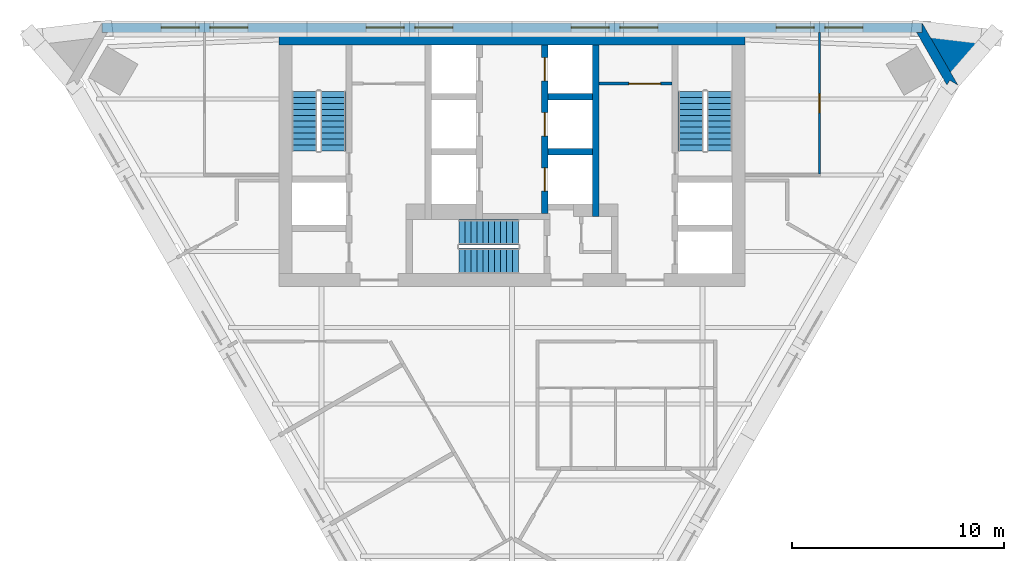
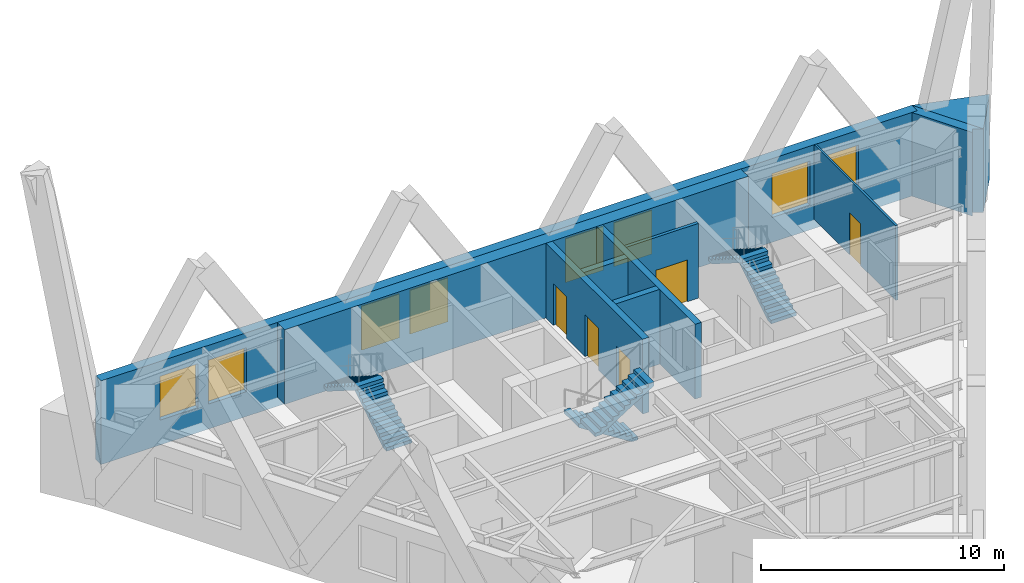
# One storey, part 5 of 6: 10 walls, 8 windows, 6 stair flights, 5 doors, 13 openings, 3 elements without a shape of their own.
"""IFC4 building model written with IfcOpenShell, lengths in metres."""

from ifc_helpers import new_model, si_unit, direction, frame, frame_2d, origin, place, context, subcontext, project, spatial, polyline, rectangle, outline, extrude, material, layer, layer_set, type_object, element, fill, aggregate, save


model = new_model("IFC4")

# Units and contexts
model_context = context("Model", 3, precision=1e-05, world=origin(), true_north=direction((0.0, 1.0)))
body_context = subcontext(model_context, "Body", "Model", "MODEL_VIEW")
ifc_project = project(units=[si_unit("LENGTHUNIT", "METRE"), si_unit("AREAUNIT", "SQUARE_METRE"), si_unit("VOLUMEUNIT", "CUBIC_METRE"), si_unit("PLANEANGLEUNIT", "RADIAN"), si_unit("MASSUNIT", "GRAM", prefix="KILO")], contexts=[model_context])

# Site, building, storey
site_placement = place(None, origin())
site = spatial("IfcSite", under=ifc_project, at=site_placement, CompositionType="ELEMENT")
building_placement = place(site_placement, origin())
building = spatial("IfcBuilding", under=site, at=building_placement, Name="Aloe Facet Convention Tower", CompositionType="ELEMENT")
storey_placement = place(building_placement, frame((0.0, 0.0, 180.199951171875)))
storey = spatial("IfcBuildingStorey", under=building, at=storey_placement, Name="L45", CompositionType="ELEMENT", Elevation=180.199951171875)

# Wall, opening, door
ifc_material_1 = material(Name="Concrete blockwork partition", Category="masonry")
ifc_layer_1 = layer(ifc_material_1, 0.14990234375)
ifc_layer_set_1 = layer_set([ifc_layer_1], Name="CR-W-PART150")
wall_type_1 = type_object("IfcWallType", Name="CR-W-PART150", PredefinedType="PARTITIONING", material=ifc_layer_set_1)
wall_1_placement = place(storey_placement, frame((84.10009765625, 132.125, 0.0), z_axis=(0.0, 0.0, 1.0), x_axis=(1.0, 0.0, 0.0)))
wall_1 = element("IfcWall", 1, at=wall_1_placement, inside=storey, type_object=wall_type_1, Name="Core partition L45-025", PredefinedType="PARTITIONING", context=body_context, shape_type="SweptSolid", body=[
    extrude(rectangle(XDim=3.449951171875, YDim=0.14990234375, at=frame_2d((1.72509765625, 0.0))), origin(), (0.0, 0.0, 1.0), 3.75),
])
opening_1_placement = place(wall_1_placement, frame((1.425048828125, 0.0, 0.0)))
opening_1 = element("IfcOpeningElement", 2, at=opening_1_placement, cuts=wall_1, Name="Opening L45-CD13", PredefinedType="OPENING", context=body_context, shape_type="SweptSolid", body=[
    extrude(rectangle(XDim=1.5, YDim=2.10009765625, at=frame_2d((0.75, 1.050048828125))), frame((0.0, 0.0849609375, 0.0), z_axis=(0.0, -1.0, 0.0), x_axis=(1.0, 0.0, 0.0)), (0.0, 0.0, 1.0), 0.169921875),
])
ifc_material_2 = material(Name="Steel fire-resisting door set FD60", Category="steel")
door_type_1 = type_object("IfcDoorType", Name="CR-D-REFUGE-1500-FD60-DD", OperationType="DOUBLE_DOOR_DOUBLE_SWING", PredefinedType="DOOR", material=ifc_material_2)
door_1_placement = place(opening_1_placement, origin())
door_1 = element("IfcDoor", 3, at=door_1_placement, inside=storey, type_object=door_type_1, Name="Core door L45-CD13", OperationType="DOUBLE_DOOR_DOUBLE_SWING", OverallHeight=2.10009765625, OverallWidth=1.5, PredefinedType="DOOR", context=body_context, shape_type="SweptSolid", body=[
    extrude(rectangle(XDim=1.5, YDim=2.10009765625, at=frame_2d((0.75, 1.050048828125))), frame((0.0, 0.02490234375, 0.0), z_axis=(0.0, -1.0, 0.0), x_axis=(1.0, 0.0, 0.0)), (0.0, 0.0, 1.0), 0.050048828125),
])
fill(opening_1, door_1)

# Wall, openings, doors
ifc_material_3 = material(Name="Concrete C50/60", Category="concrete")
ifc_layer_2 = layer(ifc_material_3, 0.300048828125)
ifc_layer_set_2 = layer_set([ifc_layer_2], Name="CR-W-RC300-C5060")
wall_type_2 = type_object("IfcWallType", Name="CR-W-RC300-C5060", PredefinedType="SOLIDWALL", material=ifc_layer_set_2)
wall_2_placement = place(storey_placement, frame((81.550048828125, 133.949951171875, 0.0), z_axis=(0.0, 0.0, 1.0), x_axis=(0.0, -1.0, 0.0)))
wall_2 = element("IfcWall", 4, at=wall_2_placement, inside=storey, type_object=wall_type_2, Name="Core wall L45-016", PredefinedType="SOLIDWALL", context=body_context, shape_type="SweptSolid", body=[
    extrude(rectangle(XDim=7.949951171875, YDim=0.300048828125, at=frame_2d((3.97509765625, 0.0))), origin(), (0.0, 0.0, 1.0), 3.75),
])
opening_2_placement = place(wall_2_placement, frame((0.60009765625, 0.0, 0.0)))
opening_2 = element("IfcOpeningElement", 5, at=opening_2_placement, cuts=wall_2, Name="Opening LD-B4-L45", PredefinedType="OPENING", context=body_context, shape_type="SweptSolid", body=[
    extrude(rectangle(XDim=1.10009765625, YDim=2.10009765625, at=frame_2d((0.550048828125, 1.050048828125))), frame((0.0, 0.16015625, 0.0), z_axis=(0.0, -1.0, 0.0), x_axis=(1.0, 0.0, 0.0)), (0.0, 0.0, 1.0), 0.320068359375),
])
opening_3_placement = place(wall_2_placement, frame((3.199951171875, 0.0, 0.0)))
opening_3 = element("IfcOpeningElement", 6, at=opening_3_placement, cuts=wall_2, Name="Opening LD-B5-L45", PredefinedType="OPENING", context=body_context, shape_type="SweptSolid", body=[
    extrude(rectangle(XDim=1.10009765625, YDim=2.10009765625, at=frame_2d((0.550048828125, 1.050048828125))), frame((0.0, 0.16015625, 0.0), z_axis=(0.0, -1.0, 0.0), x_axis=(1.0, 0.0, 0.0)), (0.0, 0.0, 1.0), 0.320068359375),
])
opening_4_placement = place(wall_2_placement, frame((5.800048828125, 0.0, 0.0)))
opening_4 = element("IfcOpeningElement", 7, at=opening_4_placement, cuts=wall_2, Name="Opening LD-B6-L45", PredefinedType="OPENING", context=body_context, shape_type="SweptSolid", body=[
    extrude(rectangle(XDim=1.10009765625, YDim=2.10009765625, at=frame_2d((0.550048828125, 1.050048828125))), frame((0.0, 0.16015625, 0.0), z_axis=(0.0, -1.0, 0.0), x_axis=(1.0, 0.0, 0.0)), (0.0, 0.0, 1.0), 0.320068359375),
])
ifc_material_4 = material(Name="Stainless steel sliding landing door", Category="steel")
door_type_2 = type_object("IfcDoorType", Name="CR-LD-1100-FD60-_LEFT", OperationType="SLIDING_TO_LEFT", PredefinedType="DOOR", material=ifc_material_4)
door_2_placement = place(opening_2_placement, origin())
door_2 = element("IfcDoor", 8, at=door_2_placement, inside=storey, type_object=door_type_2, Name="Landing door B4 L45", OperationType="SLIDING_TO_LEFT", OverallHeight=2.10009765625, OverallWidth=1.10009765625, PredefinedType="DOOR", context=body_context, shape_type="SweptSolid", body=[
    extrude(rectangle(XDim=1.10009765625, YDim=2.10009765625, at=frame_2d((0.550048828125, 1.050048828125))), frame((0.0, 0.02490234375, 0.0), z_axis=(0.0, -1.0, 0.0), x_axis=(1.0, 0.0, 0.0)), (0.0, 0.0, 1.0), 0.050048828125),
])
fill(opening_2, door_2)
door_3_placement = place(opening_3_placement, origin())
door_3 = element("IfcDoor", 9, at=door_3_placement, inside=storey, type_object=door_type_2, Name="Landing door B5 L45", OperationType="SLIDING_TO_LEFT", OverallHeight=2.10009765625, OverallWidth=1.10009765625, PredefinedType="DOOR", context=body_context, shape_type="SweptSolid", body=[
    extrude(rectangle(XDim=1.10009765625, YDim=2.10009765625, at=frame_2d((0.550048828125, 1.050048828125))), frame((0.0, 0.02490234375, 0.0), z_axis=(0.0, -1.0, 0.0), x_axis=(1.0, 0.0, 0.0)), (0.0, 0.0, 1.0), 0.050048828125),
])
fill(opening_3, door_3)
door_4_placement = place(opening_4_placement, origin())
door_4 = element("IfcDoor", 10, at=door_4_placement, inside=storey, type_object=door_type_2, Name="Landing door B6 L45", OperationType="SLIDING_TO_LEFT", OverallHeight=2.10009765625, OverallWidth=1.10009765625, PredefinedType="DOOR", context=body_context, shape_type="SweptSolid", body=[
    extrude(rectangle(XDim=1.10009765625, YDim=2.10009765625, at=frame_2d((0.550048828125, 1.050048828125))), frame((0.0, 0.02490234375, 0.0), z_axis=(0.0, -1.0, 0.0), x_axis=(1.0, 0.0, 0.0)), (0.0, 0.0, 1.0), 0.050048828125),
])
fill(opening_4, door_4)

# Walls
for number, where, z_axis, x_axis, name in (
    (11, (81.699951171875, 131.5, 0.0), (0.0, 0.0, 1.0), (1.0, 0.0, 0.0), "Core wall L45-018"),
    (12, (81.699951171875, 128.89990234375, 0.0), (0.0, 0.0, 1.0), (1.0, 0.0, 0.0), "Core wall L45-019"),
):
    element("IfcWall", number, at=place(storey_placement, frame(where, z_axis=z_axis, x_axis=x_axis)), inside=storey, type_object=wall_type_2, Name=name, PredefinedType="SOLIDWALL", context=body_context, shape_type="SweptSolid", body=[
        extrude(rectangle(XDim=2.10009765625, YDim=0.300048828125, at=frame_2d((1.050048828125, 0.0))), origin(), (0.0, 0.0, 1.0), 3.75),
    ])
wall_3_placement = place(storey_placement, frame((83.949951171875, 133.949951171875, 0.0), z_axis=(0.0, 0.0, 1.0), x_axis=(0.0, -1.0, 0.0)))
element("IfcWall", 13, at=wall_3_placement, inside=storey, type_object=wall_type_2, Name="Core wall L45-024", PredefinedType="SOLIDWALL", context=body_context, shape_type="SweptSolid", body=[
    extrude(rectangle(XDim=8.099853515625, YDim=0.300048828125, at=frame_2d((4.0498046875, 0.0))), origin(), (0.0, 0.0, 1.0), 3.75),
])
ifc_material_5 = material(Name="Concrete C50/60", Category="concrete")
ifc_layer_3 = layer(ifc_material_5, 0.60009765625)
ifc_layer_set_3 = layer_set([ifc_layer_3], Name="CR-W-RC600-C5060")
wall_type_3 = type_object("IfcWallType", Name="CR-W-RC600-C5060", PredefinedType="SOLIDWALL", material=ifc_layer_set_3)
wall_4_placement = place(storey_placement, frame((69.0, 134.25, 0.0), z_axis=(0.0, 0.0, 1.0), x_axis=(1.0, 0.0, 0.0)))
element("IfcWall", 14, at=wall_4_placement, inside=storey, type_object=wall_type_3, Name="Core wall L45-001", PredefinedType="SOLIDWALL", context=body_context, shape_type="SweptSolid", body=[
    extrude(rectangle(XDim=22.0, YDim=0.60009765625, at=frame_2d((11.0, 0.0))), origin(), (0.0, 0.0, 1.0), 3.75),
])
ifc_material_6 = material(Name="Precast concrete C40/50", Category="concrete")
ifc_layer_4 = layer(ifc_material_6, 0.449951171875)
ifc_layer_set_4 = layer_set([ifc_layer_4], Name="EV-WALL-PIER")
wall_type_4 = type_object("IfcWallType", Name="EV-WALL-PIER", PredefinedType="SOLIDWALL", material=ifc_layer_set_4)
wall_5_placement = place(storey_placement, frame((0.0, 0.0, -0.449951171875)))
element("IfcWall", 15, at=wall_5_placement, inside=storey, type_object=wall_type_4, Name="EP-L45-C", PredefinedType="SOLIDWALL", context=body_context, shape_type="SweptSolid", body=[
    extrude(outline(polyline([(101.064697265625, 132.055419921875), (100.6748046875, 132.280517578125), (100.544921875, 132.055419921875), (99.104736328125, 134.550048828125), (99.364501953125, 134.550048828125), (99.364501953125, 135.0), (101.064697265625, 132.055419921875)])), origin(), (0.0, 0.0, 1.0), 4.199951171875),
])
ifc_material_7 = material(Name="Precast concrete C40/50", Category="concrete")
ifc_layer_5 = layer(ifc_material_7, 3.947998046875)
ifc_layer_set_5 = layer_set([ifc_layer_5], Name="EV-WALL-SPINE")
wall_type_5 = type_object("IfcWallType", Name="EV-WALL-SPINE", PredefinedType="SOLIDWALL", material=ifc_layer_set_5)
wall_6_placement = place(storey_placement, frame((0.0, 0.0, -0.449951171875)))
element("IfcWall", 16, at=wall_6_placement, inside=storey, type_object=wall_type_5, Name="SP-NE-L45", PredefinedType="SOLIDWALL", context=body_context, shape_type="SweptSolid", body=[
    extrude(outline(polyline([(101.064697265625, 132.055419921875), (102.533935546875, 134.08642578125), (99.364501953125, 135.0), (101.064697265625, 132.055419921875)])), origin(), (0.0, 0.0, 1.0), 4.199951171875),
])

# Wall, openings, windows
ifc_material_8 = material(Name="Precast concrete C40/50", Category="concrete")
ifc_layer_6 = layer(ifc_material_8, 0.449951171875)
ifc_layer_set_6 = layer_set([ifc_layer_6], Name="EV-WALL-STONE")
wall_type_6 = type_object("IfcWallType", Name="EV-WALL-STONE", PredefinedType="SOLIDWALL", material=ifc_layer_set_6)
wall_7_placement = place(storey_placement, frame((99.364501953125, 134.77490234375, -0.449951171875), z_axis=(0.0, 0.0, 1.0), x_axis=(-1.0, 0.0, 0.0)))
wall_7 = element("IfcWall", 17, at=wall_7_placement, inside=storey, type_object=wall_type_6, Name="EW-L45-N01", PredefinedType="SOLIDWALL", context=body_context, shape_type="SweptSolid", body=[
    extrude(outline(polyline([(38.729248046875, 0.0), (38.729248046875, 4.199951171875), (0.0, 4.199951171875), (0.0, 0.0), (38.729248046875, 0.0)])), frame((0.0, 0.22509765625, 0.0), z_axis=(0.0, -1.0, 0.0), x_axis=(1.0, 0.0, 0.0)), (0.0, 0.0, 1.0), 0.449951171875),
])
opening_5_placement = place(wall_7_placement, frame((2.791259765625, 0.0, 1.25)))
opening_5 = element("IfcOpeningElement", 18, at=opening_5_placement, cuts=wall_7, Name="Opening W-L45-N01", PredefinedType="OPENING", context=body_context, shape_type="SweptSolid", body=[
    extrude(rectangle(XDim=1.800048828125, YDim=2.199951171875, at=frame_2d((0.89990234375, 1.10009765625))), frame((0.0, 0.23486328125, 0.0), z_axis=(0.0, -1.0, 0.0), x_axis=(1.0, 0.0, 0.0)), (0.0, 0.0, 1.0), 0.469970703125),
])
opening_6_placement = place(wall_7_placement, frame((5.091064453125, 0.0, 1.25)))
opening_6 = element("IfcOpeningElement", 19, at=opening_6_placement, cuts=wall_7, Name="Opening W-L45-N02", PredefinedType="OPENING", context=body_context, shape_type="SweptSolid", body=[
    extrude(rectangle(XDim=1.800048828125, YDim=2.199951171875, at=frame_2d((0.89990234375, 1.10009765625))), frame((0.0, 0.23486328125, 0.0), z_axis=(0.0, -1.0, 0.0), x_axis=(1.0, 0.0, 0.0)), (0.0, 0.0, 1.0), 0.469970703125),
])
opening_7_placement = place(wall_7_placement, frame((12.473388671875, 0.0, 1.25)))
opening_7 = element("IfcOpeningElement", 20, at=opening_7_placement, cuts=wall_7, Name="Opening W-L45-N03", PredefinedType="OPENING", context=body_context, shape_type="SweptSolid", body=[
    extrude(rectangle(XDim=1.800048828125, YDim=2.199951171875, at=frame_2d((0.89990234375, 1.10009765625))), frame((0.0, 0.23486328125, 0.0), z_axis=(0.0, -1.0, 0.0), x_axis=(1.0, 0.0, 0.0)), (0.0, 0.0, 1.0), 0.469970703125),
])
opening_8_placement = place(wall_7_placement, frame((14.7734375, 0.0, 1.25)))
opening_8 = element("IfcOpeningElement", 21, at=opening_8_placement, cuts=wall_7, Name="Opening W-L45-N04", PredefinedType="OPENING", context=body_context, shape_type="SweptSolid", body=[
    extrude(rectangle(XDim=1.800048828125, YDim=2.199951171875, at=frame_2d((0.89990234375, 1.10009765625))), frame((0.0, 0.23486328125, 0.0), z_axis=(0.0, -1.0, 0.0), x_axis=(1.0, 0.0, 0.0)), (0.0, 0.0, 1.0), 0.469970703125),
])
opening_9_placement = place(wall_7_placement, frame((22.15576171875, 0.0, 1.25)))
opening_9 = element("IfcOpeningElement", 22, at=opening_9_placement, cuts=wall_7, Name="Opening W-L45-N05", PredefinedType="OPENING", context=body_context, shape_type="SweptSolid", body=[
    extrude(rectangle(XDim=1.800048828125, YDim=2.199951171875, at=frame_2d((0.89990234375, 1.10009765625))), frame((0.0, 0.23486328125, 0.0), z_axis=(0.0, -1.0, 0.0), x_axis=(1.0, 0.0, 0.0)), (0.0, 0.0, 1.0), 0.469970703125),
])
opening_10_placement = place(wall_7_placement, frame((24.455810546875, 0.0, 1.25)))
opening_10 = element("IfcOpeningElement", 23, at=opening_10_placement, cuts=wall_7, Name="Opening W-L45-N06", PredefinedType="OPENING", context=body_context, shape_type="SweptSolid", body=[
    extrude(rectangle(XDim=1.800048828125, YDim=2.199951171875, at=frame_2d((0.89990234375, 1.10009765625))), frame((0.0, 0.23486328125, 0.0), z_axis=(0.0, -1.0, 0.0), x_axis=(1.0, 0.0, 0.0)), (0.0, 0.0, 1.0), 0.469970703125),
])
opening_11_placement = place(wall_7_placement, frame((31.838134765625, 0.0, 1.25)))
opening_11 = element("IfcOpeningElement", 24, at=opening_11_placement, cuts=wall_7, Name="Opening W-L45-N07", PredefinedType="OPENING", context=body_context, shape_type="SweptSolid", body=[
    extrude(rectangle(XDim=1.800048828125, YDim=2.199951171875, at=frame_2d((0.89990234375, 1.10009765625))), frame((0.0, 0.23486328125, 0.0), z_axis=(0.0, -1.0, 0.0), x_axis=(1.0, 0.0, 0.0)), (0.0, 0.0, 1.0), 0.469970703125),
])
opening_12_placement = place(wall_7_placement, frame((34.13818359375, 0.0, 1.25)))
opening_12 = element("IfcOpeningElement", 25, at=opening_12_placement, cuts=wall_7, Name="Opening W-L45-N08", PredefinedType="OPENING", context=body_context, shape_type="SweptSolid", body=[
    extrude(rectangle(XDim=1.800048828125, YDim=2.199951171875, at=frame_2d((0.89990234375, 1.10009765625))), frame((0.0, 0.23486328125, 0.0), z_axis=(0.0, -1.0, 0.0), x_axis=(1.0, 0.0, 0.0)), (0.0, 0.0, 1.0), 0.469970703125),
])
ifc_material_9 = material(Name="Aluminium frame, clear double glazing", Category="aluminium")
window_type = type_object("IfcWindowType", Name="EV-WIN-O18", PartitioningType="SINGLE_PANEL", PredefinedType="WINDOW", material=ifc_material_9)
window_1_placement = place(opening_5_placement, origin())
window_1 = element("IfcWindow", 26, at=window_1_placement, inside=storey, type_object=window_type, Name="W-L45-N01", OverallHeight=2.199951171875, OverallWidth=1.800048828125, PartitioningType="SINGLE_PANEL", PredefinedType="WINDOW", context=body_context, shape_type="SweptSolid", body=[
    extrude(rectangle(XDim=1.800048828125, YDim=2.199951171875, at=frame_2d((0.89990234375, 1.10009765625))), frame((0.0, 0.030029296875, 0.0), z_axis=(0.0, -1.0, 0.0), x_axis=(1.0, 0.0, 0.0)), (0.0, 0.0, 1.0), 0.06005859375),
])
fill(opening_5, window_1)
window_2_placement = place(opening_6_placement, origin())
window_2 = element("IfcWindow", 27, at=window_2_placement, inside=storey, type_object=window_type, Name="W-L45-N02", OverallHeight=2.199951171875, OverallWidth=1.800048828125, PartitioningType="SINGLE_PANEL", PredefinedType="WINDOW", context=body_context, shape_type="SweptSolid", body=[
    extrude(rectangle(XDim=1.800048828125, YDim=2.199951171875, at=frame_2d((0.89990234375, 1.10009765625))), frame((0.0, 0.030029296875, 0.0), z_axis=(0.0, -1.0, 0.0), x_axis=(1.0, 0.0, 0.0)), (0.0, 0.0, 1.0), 0.06005859375),
])
fill(opening_6, window_2)
window_3_placement = place(opening_7_placement, origin())
window_3 = element("IfcWindow", 28, at=window_3_placement, inside=storey, type_object=window_type, Name="W-L45-N03", OverallHeight=2.199951171875, OverallWidth=1.800048828125, PartitioningType="SINGLE_PANEL", PredefinedType="WINDOW", context=body_context, shape_type="SweptSolid", body=[
    extrude(rectangle(XDim=1.800048828125, YDim=2.199951171875, at=frame_2d((0.89990234375, 1.10009765625))), frame((0.0, 0.030029296875, 0.0), z_axis=(0.0, -1.0, 0.0), x_axis=(1.0, 0.0, 0.0)), (0.0, 0.0, 1.0), 0.06005859375),
])
fill(opening_7, window_3)
window_4_placement = place(opening_8_placement, origin())
window_4 = element("IfcWindow", 29, at=window_4_placement, inside=storey, type_object=window_type, Name="W-L45-N04", OverallHeight=2.199951171875, OverallWidth=1.800048828125, PartitioningType="SINGLE_PANEL", PredefinedType="WINDOW", context=body_context, shape_type="SweptSolid", body=[
    extrude(rectangle(XDim=1.800048828125, YDim=2.199951171875, at=frame_2d((0.89990234375, 1.10009765625))), frame((0.0, 0.030029296875, 0.0), z_axis=(0.0, -1.0, 0.0), x_axis=(1.0, 0.0, 0.0)), (0.0, 0.0, 1.0), 0.06005859375),
])
fill(opening_8, window_4)
window_5_placement = place(opening_9_placement, origin())
window_5 = element("IfcWindow", 30, at=window_5_placement, inside=storey, type_object=window_type, Name="W-L45-N05", OverallHeight=2.199951171875, OverallWidth=1.800048828125, PartitioningType="SINGLE_PANEL", PredefinedType="WINDOW", context=body_context, shape_type="SweptSolid", body=[
    extrude(rectangle(XDim=1.800048828125, YDim=2.199951171875, at=frame_2d((0.89990234375, 1.10009765625))), frame((0.0, 0.030029296875, 0.0), z_axis=(0.0, -1.0, 0.0), x_axis=(1.0, 0.0, 0.0)), (0.0, 0.0, 1.0), 0.06005859375),
])
fill(opening_9, window_5)
window_6_placement = place(opening_10_placement, origin())
window_6 = element("IfcWindow", 31, at=window_6_placement, inside=storey, type_object=window_type, Name="W-L45-N06", OverallHeight=2.199951171875, OverallWidth=1.800048828125, PartitioningType="SINGLE_PANEL", PredefinedType="WINDOW", context=body_context, shape_type="SweptSolid", body=[
    extrude(rectangle(XDim=1.800048828125, YDim=2.199951171875, at=frame_2d((0.89990234375, 1.10009765625))), frame((0.0, 0.030029296875, 0.0), z_axis=(0.0, -1.0, 0.0), x_axis=(1.0, 0.0, 0.0)), (0.0, 0.0, 1.0), 0.06005859375),
])
fill(opening_10, window_6)
window_7_placement = place(opening_11_placement, origin())
window_7 = element("IfcWindow", 32, at=window_7_placement, inside=storey, type_object=window_type, Name="W-L45-N07", OverallHeight=2.199951171875, OverallWidth=1.800048828125, PartitioningType="SINGLE_PANEL", PredefinedType="WINDOW", context=body_context, shape_type="SweptSolid", body=[
    extrude(rectangle(XDim=1.800048828125, YDim=2.199951171875, at=frame_2d((0.89990234375, 1.10009765625))), frame((0.0, 0.030029296875, 0.0), z_axis=(0.0, -1.0, 0.0), x_axis=(1.0, 0.0, 0.0)), (0.0, 0.0, 1.0), 0.06005859375),
])
fill(opening_11, window_7)
window_8_placement = place(opening_12_placement, origin())
window_8 = element("IfcWindow", 33, at=window_8_placement, inside=storey, type_object=window_type, Name="W-L45-N08", OverallHeight=2.199951171875, OverallWidth=1.800048828125, PartitioningType="SINGLE_PANEL", PredefinedType="WINDOW", context=body_context, shape_type="SweptSolid", body=[
    extrude(rectangle(XDim=1.800048828125, YDim=2.199951171875, at=frame_2d((0.89990234375, 1.10009765625))), frame((0.0, 0.030029296875, 0.0), z_axis=(0.0, -1.0, 0.0), x_axis=(1.0, 0.0, 0.0)), (0.0, 0.0, 1.0), 0.06005859375),
])
fill(opening_12, window_8)

# Wall, opening, door
ifc_material_10 = material(Name="Gypsum board partition on steel studs", Category="steel")
ifc_layer_7 = layer(ifc_material_10, 0.10009765625)
ifc_layer_set_7 = layer_set([ifc_layer_7], Name="IN-W-PART")
wall_type_7 = type_object("IfcWallType", Name="IN-W-PART", PredefinedType="PARTITIONING", material=ifc_layer_set_7)
wall_8_placement = place(storey_placement, frame((94.521484375, 127.85009765625, 0.0), z_axis=(0.0, 0.0, 1.0), x_axis=(0.000728783103, 0.999999734438, 0.0)))
wall_8 = element("IfcWall", 34, at=wall_8_placement, inside=storey, type_object=wall_type_7, Name="Partition L45-W043", PredefinedType="PARTITIONING", context=body_context, shape_type="SweptSolid", body=[
    extrude(rectangle(XDim=6.699951171875, YDim=0.10009765625, at=frame_2d((3.35009765625, 0.0))), origin(), (0.0, 0.0, 1.0), 3.75),
])
opening_13_placement = place(wall_8_placement, frame((2.89990234375, 0.0, 0.0)))
opening_13 = element("IfcOpeningElement", 35, at=opening_13_placement, cuts=wall_8, Name="Opening L45-006", PredefinedType="OPENING", context=body_context, shape_type="SweptSolid", body=[
    extrude(rectangle(XDim=0.89990234375, YDim=2.10009765625, at=frame_2d((0.449951171875, 1.050048828125))), frame((0.0, 0.06005859375, 0.0), z_axis=(0.0, -1.0, 0.0), x_axis=(1.0, 0.0, 0.0)), (0.0, 0.0, 1.0), 0.1201171875),
])
ifc_material_11 = material(Name="Timber door", Category="wood")
door_type_3 = type_object("IfcDoorType", Name="IN-OFF-D-ROOM", OperationType="SINGLE_SWING_LEFT", PredefinedType="DOOR", material=ifc_material_11)
door_5_placement = place(opening_13_placement, origin())
door_5 = element("IfcDoor", 36, at=door_5_placement, inside=storey, type_object=door_type_3, Name="Door L45-006", OperationType="SINGLE_SWING_LEFT", OverallHeight=2.10009765625, OverallWidth=0.89990234375, PredefinedType="DOOR", context=body_context, shape_type="SweptSolid", body=[
    extrude(rectangle(XDim=0.89990234375, YDim=2.10009765625, at=frame_2d((0.449951171875, 1.050048828125))), frame((0.0, 0.02490234375, 0.0), z_axis=(0.0, -1.0, 0.0), x_axis=(1.0, 0.0, 0.0)), (0.0, 0.0, 1.0), 0.050048828125),
])
fill(opening_13, door_5)

# Stair, stair flights
ifc_material_12 = material(Name="Concrete C50/60", Category="concrete")
stair_type = type_object("IfcStairType", Name="CR-ST-22R", PredefinedType="HALF_TURN_STAIR", material=ifc_material_12)
stair_1_placement = place(storey_placement, origin())
stair_1 = element("IfcStair", 37, at=stair_1_placement, inside=storey, type_object=stair_type, Name="L45 Protected exit stair ST1", PredefinedType="HALF_TURN_STAIR")
ifc_material_13 = material(Name="Concrete C50/60", Category="concrete")
stair_flight_type = type_object("IfcStairFlightType", Name="CR-SFL-22R", PredefinedType="STRAIGHT", material=ifc_material_13)
stair_flight_1_placement = place(storey_placement, frame((71.550048828125, 128.949951171875, 0.0), z_axis=(0.0, 0.0, 1.0), x_axis=(0.0, 1.0, 0.0)))
stair_flight_1 = element("IfcStairFlight", 38, at=stair_flight_1_placement, type_object=stair_flight_type, Name="ST1 flight 1", NumberOfRisers=11, NumberOfTreads=10, PredefinedType="STRAIGHT", RiserHeight=0.177272727, TreadLength=0.28, context=body_context, shape_type="SweptSolid", body=[
    extrude(outline(polyline([(0.0, 0.0), (0.0, 0.17724609375), (0.280029296875, 0.17724609375), (0.280029296875, 0.3544921875), (0.56005859375, 0.3544921875), (0.56005859375, 0.53173828125), (0.840087890625, 0.53173828125), (0.840087890625, 0.708984375), (1.1201171875, 0.708984375), (1.1201171875, 0.886474609375), (1.39990234375, 0.886474609375), (1.39990234375, 1.063720703125), (1.679931640625, 1.063720703125), (1.679931640625, 1.240966796875), (1.9599609375, 1.240966796875), (1.9599609375, 1.418212890625), (2.239990234375, 1.418212890625), (2.239990234375, 1.595458984375), (2.52001953125, 1.595458984375), (2.52001953125, 1.772705078125), (2.800048828125, 1.772705078125), (2.800048828125, 1.949951171875), (2.800048828125, 1.59521484375), (0.2802734375, 0.0), (0.0, 0.0)])), frame((0.0, 0.60009765625, 0.0), z_axis=(0.0, -1.0, 0.0), x_axis=(1.0, 0.0, 0.0)), (0.0, 0.0, 1.0), 1.199951171875),
])
stair_flight_2_placement = place(storey_placement, frame((70.199951171875, 131.75, 1.949951171875), z_axis=(0.0, 0.0, 1.0), x_axis=(0.0, -1.0, 0.0)))
stair_flight_2 = element("IfcStairFlight", 39, at=stair_flight_2_placement, type_object=stair_flight_type, Name="ST1 flight 2", NumberOfRisers=11, NumberOfTreads=10, PredefinedType="STRAIGHT", RiserHeight=0.177272727, TreadLength=0.28, context=body_context, shape_type="SweptSolid", body=[
    extrude(outline(polyline([(0.0, 0.0), (0.0, 0.17724609375), (0.280029296875, 0.17724609375), (0.280029296875, 0.3544921875), (0.56005859375, 0.3544921875), (0.56005859375, 0.53173828125), (0.840087890625, 0.53173828125), (0.840087890625, 0.708984375), (1.1201171875, 0.708984375), (1.1201171875, 0.886474609375), (1.39990234375, 0.886474609375), (1.39990234375, 1.063720703125), (1.679931640625, 1.063720703125), (1.679931640625, 1.240966796875), (1.9599609375, 1.240966796875), (1.9599609375, 1.418212890625), (2.239990234375, 1.418212890625), (2.239990234375, 1.595458984375), (2.52001953125, 1.595458984375), (2.52001953125, 1.772705078125), (2.800048828125, 1.772705078125), (2.800048828125, 1.949951171875), (2.800048828125, 1.59521484375), (0.2802734375, 0.0), (0.0, 0.0)])), frame((0.0, 0.60009765625, 0.0), z_axis=(0.0, -1.0, 0.0), x_axis=(1.0, 0.0, 0.0)), (0.0, 0.0, 1.0), 1.199951171875),
])
aggregate(stair_1, [stair_flight_1, stair_flight_2])

stair_2_placement = place(storey_placement, origin())
stair_2 = element("IfcStair", 40, at=stair_2_placement, inside=storey, type_object=stair_type, Name="L45 Protected exit stair ST2", PredefinedType="HALF_TURN_STAIR")
stair_flight_3_placement = place(storey_placement, frame((89.800048828125, 128.949951171875, 0.0), z_axis=(0.0, 0.0, 1.0), x_axis=(0.0, 1.0, 0.0)))
stair_flight_3 = element("IfcStairFlight", 41, at=stair_flight_3_placement, type_object=stair_flight_type, Name="ST2 flight 1", NumberOfRisers=11, NumberOfTreads=10, PredefinedType="STRAIGHT", RiserHeight=0.177272727, TreadLength=0.28, context=body_context, shape_type="SweptSolid", body=[
    extrude(outline(polyline([(0.0, 0.0), (0.0, 0.17724609375), (0.280029296875, 0.17724609375), (0.280029296875, 0.3544921875), (0.56005859375, 0.3544921875), (0.56005859375, 0.53173828125), (0.840087890625, 0.53173828125), (0.840087890625, 0.708984375), (1.1201171875, 0.708984375), (1.1201171875, 0.886474609375), (1.39990234375, 0.886474609375), (1.39990234375, 1.063720703125), (1.679931640625, 1.063720703125), (1.679931640625, 1.240966796875), (1.9599609375, 1.240966796875), (1.9599609375, 1.418212890625), (2.239990234375, 1.418212890625), (2.239990234375, 1.595458984375), (2.52001953125, 1.595458984375), (2.52001953125, 1.772705078125), (2.800048828125, 1.772705078125), (2.800048828125, 1.949951171875), (2.800048828125, 1.59521484375), (0.2802734375, 0.0), (0.0, 0.0)])), frame((0.0, 0.60009765625, 0.0), z_axis=(0.0, -1.0, 0.0), x_axis=(1.0, 0.0, 0.0)), (0.0, 0.0, 1.0), 1.199951171875),
])
stair_flight_4_placement = place(storey_placement, frame((88.449951171875, 131.75, 1.949951171875), z_axis=(0.0, 0.0, 1.0), x_axis=(0.0, -1.0, 0.0)))
stair_flight_4 = element("IfcStairFlight", 42, at=stair_flight_4_placement, type_object=stair_flight_type, Name="ST2 flight 2", NumberOfRisers=11, NumberOfTreads=10, PredefinedType="STRAIGHT", RiserHeight=0.177272727, TreadLength=0.28, context=body_context, shape_type="SweptSolid", body=[
    extrude(outline(polyline([(0.0, 0.0), (0.0, 0.17724609375), (0.280029296875, 0.17724609375), (0.280029296875, 0.3544921875), (0.56005859375, 0.3544921875), (0.56005859375, 0.53173828125), (0.840087890625, 0.53173828125), (0.840087890625, 0.708984375), (1.1201171875, 0.708984375), (1.1201171875, 0.886474609375), (1.39990234375, 0.886474609375), (1.39990234375, 1.063720703125), (1.679931640625, 1.063720703125), (1.679931640625, 1.240966796875), (1.9599609375, 1.240966796875), (1.9599609375, 1.418212890625), (2.239990234375, 1.418212890625), (2.239990234375, 1.595458984375), (2.52001953125, 1.595458984375), (2.52001953125, 1.772705078125), (2.800048828125, 1.772705078125), (2.800048828125, 1.949951171875), (2.800048828125, 1.59521484375), (0.2802734375, 0.0), (0.0, 0.0)])), frame((0.0, 0.60009765625, 0.0), z_axis=(0.0, -1.0, 0.0), x_axis=(1.0, 0.0, 0.0)), (0.0, 0.0, 1.0), 1.199951171875),
])
aggregate(stair_2, [stair_flight_3, stair_flight_4])

stair_3_placement = place(storey_placement, origin())
stair_3 = element("IfcStair", 43, at=stair_3_placement, inside=storey, type_object=stair_type, Name="L45 Protected exit stair ST3", PredefinedType="HALF_TURN_STAIR")
stair_flight_5_placement = place(storey_placement, frame((80.300048828125, 125.10009765625, 0.0), z_axis=(0.0, 0.0, 1.0), x_axis=(-1.0, 0.0, 0.0)))
stair_flight_5 = element("IfcStairFlight", 44, at=stair_flight_5_placement, type_object=stair_flight_type, Name="ST3 flight 1", NumberOfRisers=11, NumberOfTreads=10, PredefinedType="STRAIGHT", RiserHeight=0.177272727, TreadLength=0.28, context=body_context, shape_type="SweptSolid", body=[
    extrude(outline(polyline([(0.0, 0.0), (0.0, 0.17724609375), (0.280029296875, 0.17724609375), (0.280029296875, 0.3544921875), (0.56005859375, 0.3544921875), (0.56005859375, 0.53173828125), (0.840087890625, 0.53173828125), (0.840087890625, 0.708984375), (1.1201171875, 0.708984375), (1.1201171875, 0.886474609375), (1.39990234375, 0.886474609375), (1.39990234375, 1.063720703125), (1.679931640625, 1.063720703125), (1.679931640625, 1.240966796875), (1.9599609375, 1.240966796875), (1.9599609375, 1.418212890625), (2.239990234375, 1.418212890625), (2.239990234375, 1.595458984375), (2.52001953125, 1.595458984375), (2.52001953125, 1.772705078125), (2.800048828125, 1.772705078125), (2.800048828125, 1.949951171875), (2.800048828125, 1.59521484375), (0.2802734375, 0.0), (0.0, 0.0)])), frame((0.0, 0.60009765625, 0.0), z_axis=(0.0, -1.0, 0.0), x_axis=(1.0, 0.0, 0.0)), (0.0, 0.0, 1.0), 1.199951171875),
])
stair_flight_6_placement = place(storey_placement, frame((77.5, 123.75, 1.949951171875), z_axis=(0.0, 0.0, 1.0), x_axis=(1.0, 0.0, 0.0)))
stair_flight_6 = element("IfcStairFlight", 45, at=stair_flight_6_placement, type_object=stair_flight_type, Name="ST3 flight 2", NumberOfRisers=11, NumberOfTreads=10, PredefinedType="STRAIGHT", RiserHeight=0.177272727, TreadLength=0.28, context=body_context, shape_type="SweptSolid", body=[
    extrude(outline(polyline([(0.0, 0.0), (0.0, 0.17724609375), (0.280029296875, 0.17724609375), (0.280029296875, 0.3544921875), (0.56005859375, 0.3544921875), (0.56005859375, 0.53173828125), (0.840087890625, 0.53173828125), (0.840087890625, 0.708984375), (1.1201171875, 0.708984375), (1.1201171875, 0.886474609375), (1.39990234375, 0.886474609375), (1.39990234375, 1.063720703125), (1.679931640625, 1.063720703125), (1.679931640625, 1.240966796875), (1.9599609375, 1.240966796875), (1.9599609375, 1.418212890625), (2.239990234375, 1.418212890625), (2.239990234375, 1.595458984375), (2.52001953125, 1.595458984375), (2.52001953125, 1.772705078125), (2.800048828125, 1.772705078125), (2.800048828125, 1.949951171875), (2.800048828125, 1.59521484375), (0.2802734375, 0.0), (0.0, 0.0)])), frame((0.0, 0.60009765625, 0.0), z_axis=(0.0, -1.0, 0.0), x_axis=(1.0, 0.0, 0.0)), (0.0, 0.0, 1.0), 1.199951171875),
])
aggregate(stair_3, [stair_flight_5, stair_flight_6])

save(model, "model.ifc")
